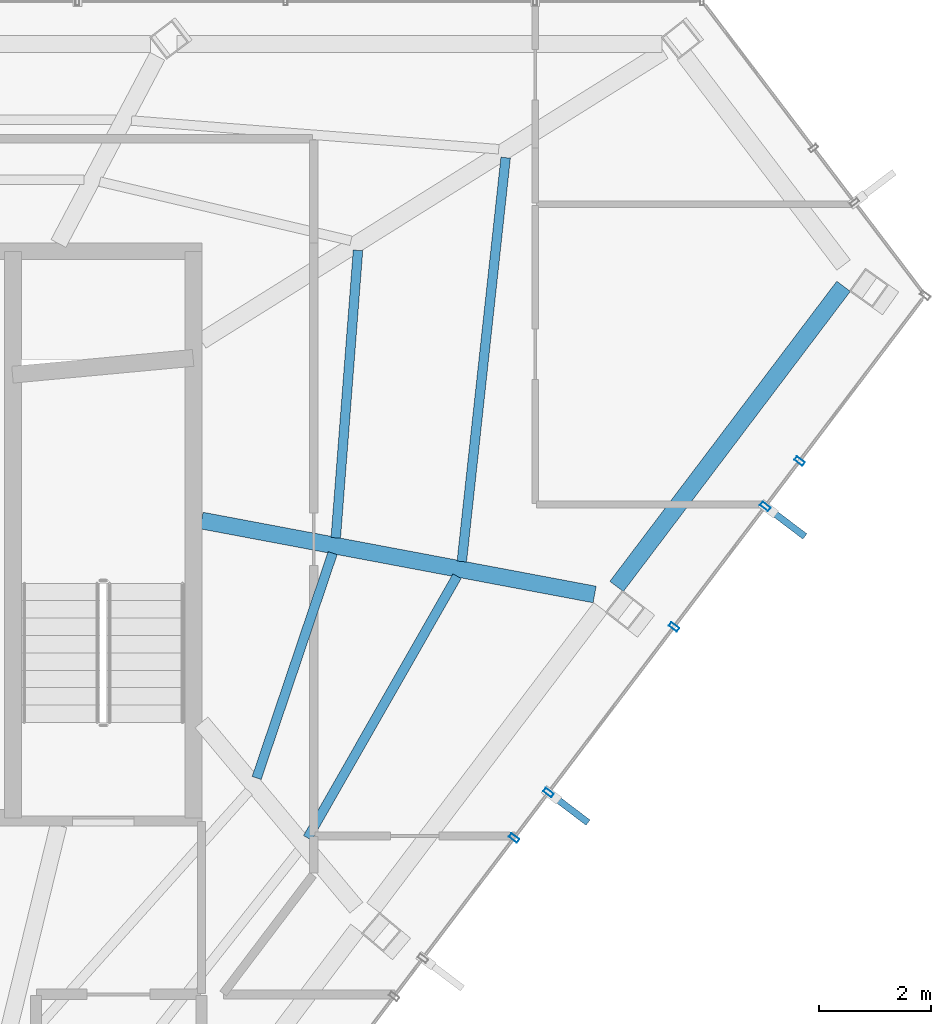
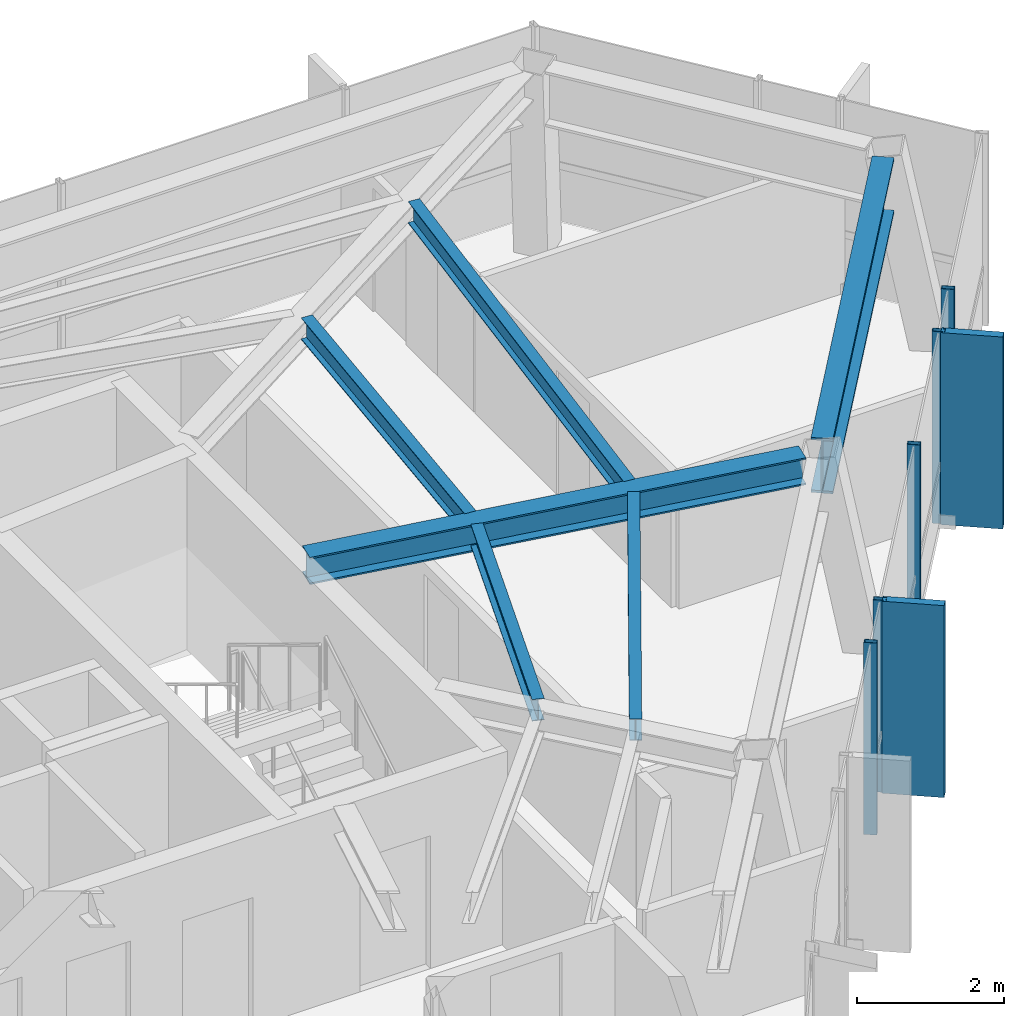
# One storey, part 18 of 26: 7 members, 6 beams, 1 element without a shape of its own.
"""IFC4 building model written with IfcOpenShell, lengths in metres."""

from ifc_helpers import new_model, si_unit, direction, frame, origin, origin_2d, place, context, subcontext, project, spatial, rectangle, hollow_rectangle, i_section, extrude, material, layer, layer_set, material_profile, profile_set, type_object, element, aggregate, save


model = new_model("IFC4")

# Units and contexts
model_context = context("Model", 3, precision=1e-05, world=origin(), true_north=direction((0.0, 1.0)))
body_context = subcontext(model_context, "Body", "Model", "MODEL_VIEW")
ifc_project = project(units=[si_unit("LENGTHUNIT", "METRE"), si_unit("AREAUNIT", "SQUARE_METRE"), si_unit("VOLUMEUNIT", "CUBIC_METRE"), si_unit("PLANEANGLEUNIT", "RADIAN"), si_unit("MASSUNIT", "GRAM", prefix="KILO")], contexts=[model_context])

# Site, building, storey
site_placement = place(None, origin())
site = spatial("IfcSite", under=ifc_project, at=site_placement, CompositionType="ELEMENT")
building_placement = place(site_placement, origin())
building = spatial("IfcBuilding", under=site, at=building_placement, Name="Zarrinselat Tower", CompositionType="ELEMENT")
storey_placement = place(building_placement, frame((0.0, 0.0, 265.199951171875)))
storey = spatial("IfcBuildingStorey", under=building, at=storey_placement, Name="L67", CompositionType="ELEMENT", Elevation=265.199951171875)

# Beams
ifc_material_1 = material(Name="Steel S355J2", Category="steel")
ifc_material_profile_1 = material_profile(ifc_material_1, i_section(OverallWidth=0.300048828125, OverallDepth=0.449951171875, WebThickness=0.013916015625, FlangeThickness=0.02587890625, at=origin_2d()), Name="HEB 450")
ifc_profile_set_1 = profile_set([ifc_material_profile_1], Name="Steel S355J2")
beam_type_1 = type_object("IfcBeamType", Name="BM-HEB450", PredefinedType="BEAM", material=ifc_profile_set_1)
beam_1_placement = place(storey_placement, frame((48.35009765625, 38.60009765625, 2.955078125), z_axis=(0.982752250511, -0.184927050796, 0.0), x_axis=(0.184927050796, 0.982752250511, 0.0)))
element("IfcBeam", 1, at=beam_1_placement, inside=storey, type_object=beam_type_1, Name="L67 Radial Primary Girder RG14", PredefinedType="BEAM", context=body_context, shape_type="SweptSolid", body=[
    extrude(i_section(OverallWidth=0.300048828125, OverallDepth=0.449951171875, WebThickness=0.013916015625, FlangeThickness=0.02587890625, at=origin_2d()), origin(), (0.0, 0.0, 1.0), 7.133056640625),
])
ifc_material_2 = material(Name="Steel S460M", Category="steel")
ifc_material_profile_2 = material_profile(ifc_material_2, i_section(OverallWidth=0.302001953125, OverallDepth=0.909912109375, WebThickness=0.02099609375, FlangeThickness=0.0400390625, at=origin_2d()), Name="HEM 900")
ifc_profile_set_2 = profile_set([ifc_material_profile_2], Name="Steel S460M")
beam_type_2 = type_object("IfcBeamType", Name="BM-HEM900", PredefinedType="BEAM", material=ifc_profile_set_2)
beam_2_placement = place(storey_placement, frame((55.75146484375, 37.42431640625, 2.72509765625), z_axis=(0.603179411803, 0.797605539836, 0.0), x_axis=(-0.797605539836, 0.603179411803, 0.0)))
element("IfcBeam", 2, at=beam_2_placement, inside=storey, type_object=beam_type_2, Name="L67 Perimeter Spandrel Girder SP14", PredefinedType="BEAM", context=body_context, shape_type="SweptSolid", body=[
    extrude(i_section(OverallWidth=0.302001953125, OverallDepth=0.909912109375, WebThickness=0.02099609375, FlangeThickness=0.0400390625, at=origin_2d()), origin(), (0.0, 0.0, 1.0), 6.71044921875),
])
ifc_material_3 = material(Name="Steel S355J2", Category="steel")
ifc_material_profile_3 = material_profile(ifc_material_3, i_section(OverallWidth=0.169921875, OverallDepth=0.360107421875, WebThickness=0.008056640625, FlangeThickness=0.0126953125, at=origin_2d()), Name="IPE 360")
ifc_profile_set_3 = profile_set([ifc_material_profile_3], Name="Steel S355J2")
beam_type_3 = type_object("IfcBeamType", Name="BM-IPE360", PredefinedType="JOIST", material=ifc_profile_set_3)
beam_3_placement = place(storey_placement, frame((50.2421875, 32.940673828125, 3.0), z_axis=(0.495864962839, 0.868399642232, 0.0), x_axis=(-0.868399642232, 0.495864962839, 0.0)))
element("IfcBeam", 3, at=beam_3_placement, inside=storey, type_object=beam_type_3, Name="L67 Composite Floor Joist 4-1", PredefinedType="JOIST", context=body_context, shape_type="SweptSolid", body=[
    extrude(i_section(OverallWidth=0.169921875, OverallDepth=0.360107421875, WebThickness=0.008056640625, FlangeThickness=0.0126953125, at=origin_2d()), origin(), (0.0, 0.0, 1.0), 5.37451171875),
])
beam_4_placement = place(storey_placement, frame((49.333740234375, 34.00927734375, 3.0), z_axis=(0.320153423904, 0.947365708247, 0.0), x_axis=(-0.947365708247, 0.320153423904, 0.0)))
element("IfcBeam", 4, at=beam_4_placement, inside=storey, type_object=beam_type_3, Name="L67 Composite Floor Joist 4-2", PredefinedType="JOIST", context=body_context, shape_type="SweptSolid", body=[
    extrude(i_section(OverallWidth=0.169921875, OverallDepth=0.360107421875, WebThickness=0.008056640625, FlangeThickness=0.0126953125, at=origin_2d()), origin(), (0.0, 0.0, 1.0), 4.232177734375),
])
beam_5_placement = place(storey_placement, frame((52.99169921875, 37.86865234375, 3.0), z_axis=(0.107915805749, 0.99416003685, 0.0), x_axis=(-0.99416003685, 0.107915805749, 0.0)))
element("IfcBeam", 5, at=beam_5_placement, inside=storey, type_object=beam_type_3, Name="L67 Composite Floor Joist 5-1", PredefinedType="JOIST", context=body_context, shape_type="SweptSolid", body=[
    extrude(i_section(OverallWidth=0.169921875, OverallDepth=0.360107421875, WebThickness=0.008056640625, FlangeThickness=0.0126953125, at=origin_2d()), origin(), (0.0, 0.0, 1.0), 7.243896484375),
])
beam_6_placement = place(storey_placement, frame((50.744384765625, 38.291015625, 3.0), z_axis=(0.077117723302, 0.997021994117, 0.0), x_axis=(-0.997021994117, 0.077117723302, 0.0)))
element("IfcBeam", 6, at=beam_6_placement, inside=storey, type_object=beam_type_3, Name="L67 Composite Floor Joist 5-2", PredefinedType="JOIST", context=body_context, shape_type="SweptSolid", body=[
    extrude(i_section(OverallWidth=0.169921875, OverallDepth=0.360107421875, WebThickness=0.008056640625, FlangeThickness=0.0126953125, at=origin_2d()), origin(), (0.0, 0.0, 1.0), 5.141357421875),
])

# Curtain wall, members
ifc_material_4 = material(Name="Extruded Aluminium Alloy EN AW-6063 T6", Category="aluminium")
ifc_layer = layer(ifc_material_4, 0.199951171875)
ifc_layer_set = layer_set([ifc_layer], Name="Extruded Aluminium Alloy EN AW-6063 T6")
curtain_wall_type = type_object("IfcCurtainWallType", Name="CWS-BLADE", PredefinedType="NOTDEFINED", material=ifc_layer_set)
curtain_wall_placement = place(storey_placement, origin())
curtain_wall = element("IfcCurtainWall", 7, at=curtain_wall_placement, inside=storey, type_object=curtain_wall_type, Name="L67 Unitised Curtain Wall CW-L67-E05", PredefinedType="NOTDEFINED")
ifc_material_5 = material(Name="Extruded Aluminium Alloy EN AW-6063 T6", Category="aluminium")
ifc_material_profile_4 = material_profile(ifc_material_5, hollow_rectangle(XDim=0.080078125, YDim=0.179931640625, WallThickness=0.0048828125, at=origin_2d()), Name="RHS 180x80x5")
ifc_profile_set_4 = profile_set([ifc_material_profile_4], Name="Extruded Aluminium Alloy EN AW-6063 T6")
member_type_1 = type_object("IfcMemberType", Name="MEM-CW-MUL", PredefinedType="MULLION", material=ifc_profile_set_4)
member_1_placement = place(storey_placement, frame((53.92431640625, 32.938720703125, 0.0), z_axis=(0.0, 0.0, 1.0), x_axis=(0.603859570382, 0.7970907221, 0.0)))
member_1 = element("IfcMember", 8, at=member_1_placement, type_object=member_type_1, Name="CW-L67-E05 Mullion 6", PredefinedType="MULLION", context=body_context, shape_type="SweptSolid", body=[
    extrude(hollow_rectangle(XDim=0.080078125, YDim=0.179931640625, WallThickness=0.0048828125, at=origin_2d()), origin(), (0.0, 0.0, 1.0), 3.179931640625),
])
member_2_placement = place(storey_placement, frame((54.537353515625, 33.747802734375, 0.0), z_axis=(0.0, 0.0, 1.0), x_axis=(0.603859570382, 0.7970907221, 0.0)))
member_2 = element("IfcMember", 9, at=member_2_placement, type_object=member_type_1, Name="CW-L67-E05 Mullion 7", PredefinedType="MULLION", context=body_context, shape_type="SweptSolid", body=[
    extrude(hollow_rectangle(XDim=0.080078125, YDim=0.179931640625, WallThickness=0.0048828125, at=origin_2d()), origin(), (0.0, 0.0, 1.0), 3.179931640625),
])
member_3_placement = place(storey_placement, frame((56.776123046875, 36.703125, 0.0), z_axis=(0.0, 0.0, 1.0), x_axis=(0.603859570382, 0.7970907221, 0.0)))
member_3 = element("IfcMember", 10, at=member_3_placement, type_object=member_type_1, Name="CW-L67-E05 Mullion 8", PredefinedType="MULLION", context=body_context, shape_type="SweptSolid", body=[
    extrude(hollow_rectangle(XDim=0.080078125, YDim=0.179931640625, WallThickness=0.0048828125, at=origin_2d()), origin(), (0.0, 0.0, 1.0), 3.179931640625),
])
member_4_placement = place(storey_placement, frame((58.4033203125, 38.850830078125, 0.0), z_axis=(0.0, 0.0, 1.0), x_axis=(0.603859570382, 0.7970907221, 0.0)))
member_4 = element("IfcMember", 11, at=member_4_placement, type_object=member_type_1, Name="CW-L67-E05 Mullion 9", PredefinedType="MULLION", context=body_context, shape_type="SweptSolid", body=[
    extrude(hollow_rectangle(XDim=0.080078125, YDim=0.179931640625, WallThickness=0.0048828125, at=origin_2d()), origin(), (0.0, 0.0, 1.0), 3.179931640625),
])
member_5_placement = place(storey_placement, frame((59.01513671875, 39.65869140625, 0.0), z_axis=(0.0, 0.0, 1.0), x_axis=(0.603859570382, 0.7970907221, 0.0)))
member_5 = element("IfcMember", 12, at=member_5_placement, type_object=member_type_1, Name="CW-L67-E05 Mullion 10", PredefinedType="MULLION", context=body_context, shape_type="SweptSolid", body=[
    extrude(hollow_rectangle(XDim=0.080078125, YDim=0.179931640625, WallThickness=0.0048828125, at=origin_2d()), origin(), (0.0, 0.0, 1.0), 3.179931640625),
])
ifc_material_6 = material(Name="Honed Cream Travertine Stone", Category="masonry")
ifc_material_profile_5 = material_profile(ifc_material_6, rectangle(XDim=0.1201171875, YDim=0.85009765625, at=origin_2d()), Name="FIN 850x120")
ifc_profile_set_5 = profile_set([ifc_material_profile_5], Name="Honed Cream Travertine Stone")
member_type_2 = type_object("IfcMemberType", Name="MEM-STONE-FIN", PredefinedType="USERDEFINED", material=ifc_profile_set_5)
member_6_placement = place(storey_placement, frame((54.904052734375, 33.469970703125, 0.0), z_axis=(0.0, 0.0, 1.0), x_axis=(-0.603859570382, -0.7970907221, 0.0)))
member_6 = element("IfcMember", 13, at=member_6_placement, type_object=member_type_2, Name="L67 Stone Shading Fin CW-L67-E05-07", ObjectType="FIN", PredefinedType="USERDEFINED", context=body_context, shape_type="SweptSolid", body=[
    extrude(rectangle(XDim=0.1201171875, YDim=0.85009765625, at=origin_2d()), origin(), (0.0, 0.0, 1.0), 3.179931640625),
])
member_7_placement = place(storey_placement, frame((58.77001953125, 38.572998046875, 0.0), z_axis=(0.0, 0.0, 1.0), x_axis=(-0.603859570382, -0.7970907221, 0.0)))
member_7 = element("IfcMember", 14, at=member_7_placement, type_object=member_type_2, Name="L67 Stone Shading Fin CW-L67-E05-09", ObjectType="FIN", PredefinedType="USERDEFINED", context=body_context, shape_type="SweptSolid", body=[
    extrude(rectangle(XDim=0.1201171875, YDim=0.85009765625, at=origin_2d()), origin(), (0.0, 0.0, 1.0), 3.179931640625),
])
aggregate(curtain_wall, [member_1, member_2, member_6, member_3, member_4, member_7, member_5])

save(model, "model.ifc")
